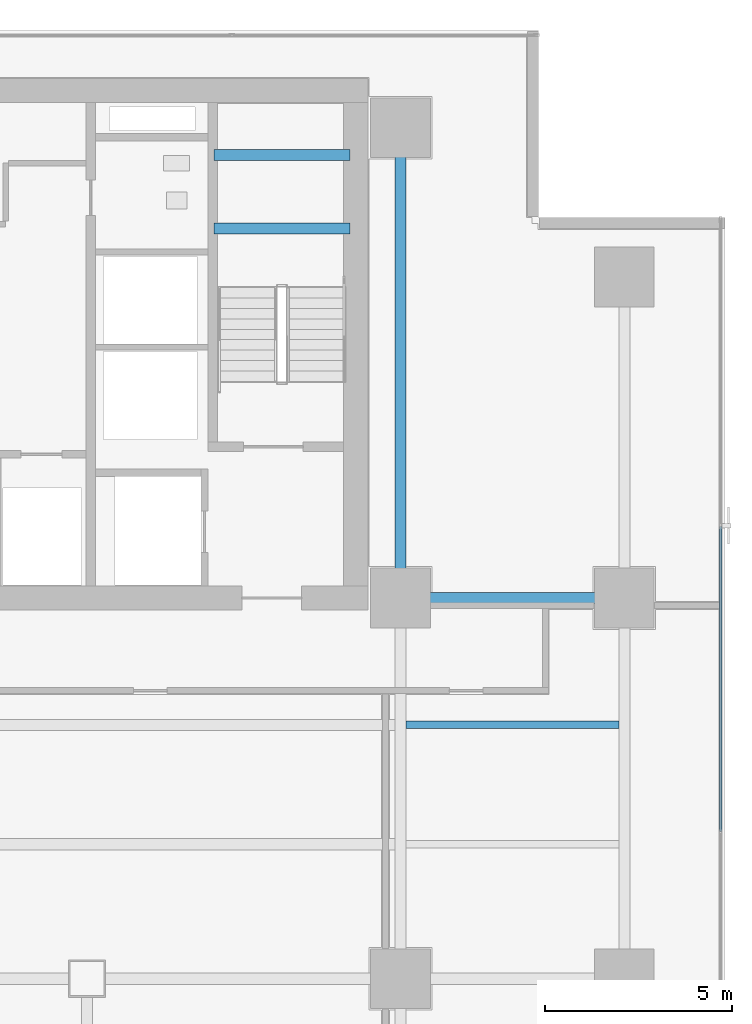
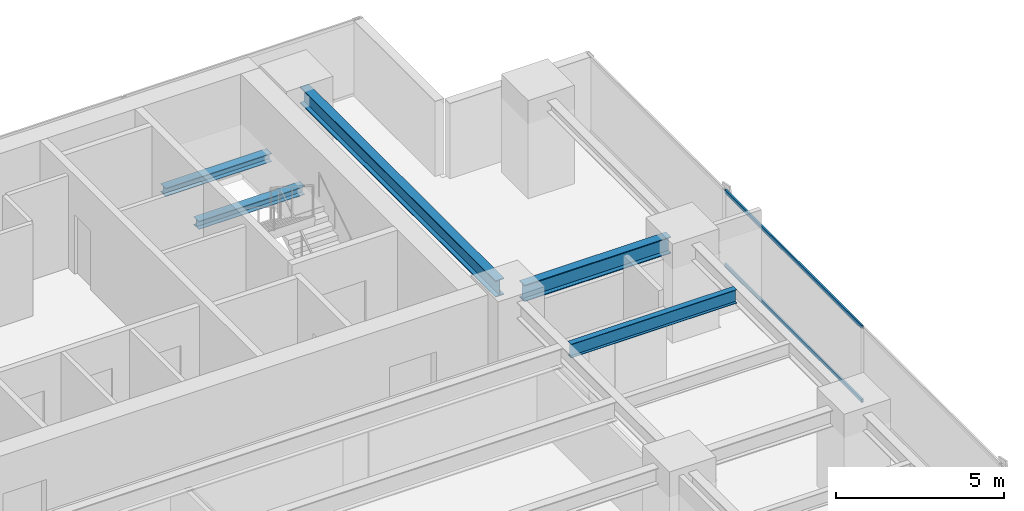
# One storey, part 23 of 37: 5 beams, 2 members, 1 element without a shape of its own.
"""IFC4 building model written with IfcOpenShell, lengths in metres."""

from ifc_helpers import new_model, si_unit, direction, frame, origin, origin_2d, place, context, subcontext, project, spatial, hollow_rectangle, i_section, extrude, source, transform, mapped, material, layer, layer_set, material_profile, profile_set, type_object, element, aggregate, save


model = new_model("IFC4")

# Units and contexts
model_context = context("Model", 3, precision=1e-05, world=origin(), true_north=direction((0.0, 1.0)))
body_context = subcontext(model_context, "Body", "Model", "MODEL_VIEW")
ifc_project = project(units=[si_unit("LENGTHUNIT", "METRE"), si_unit("AREAUNIT", "SQUARE_METRE"), si_unit("VOLUMEUNIT", "CUBIC_METRE"), si_unit("PLANEANGLEUNIT", "RADIAN"), si_unit("MASSUNIT", "GRAM", prefix="KILO")], contexts=[model_context])

# Site, building, storey
site_placement = place(None, origin())
site = spatial("IfcSite", under=ifc_project, at=site_placement, CompositionType="ELEMENT")
building_placement = place(site_placement, origin())
building = spatial("IfcBuilding", under=site, at=building_placement, Name="Sumidabori Civic Tower", CompositionType="ELEMENT")
storey_placement = place(building_placement, frame((0.0, 0.0, 110.0)))
storey = spatial("IfcBuildingStorey", under=building, at=storey_placement, Name="L28", CompositionType="ELEMENT", Elevation=110.0)

# Beams
ifc_material_1 = material(Name="Steel SN490", Category="steel")
ifc_material_profile_1 = material_profile(ifc_material_1, i_section(OverallWidth=0.300048828125, OverallDepth=0.300048828125, WebThickness=0.010986328125, FlangeThickness=0.01904296875, at=origin_2d()), Name="HE 300 B")
ifc_profile_set_1 = profile_set([ifc_material_profile_1], Name="Steel SN490")
beam_type_1 = type_object("IfcBeamType", Name="BM-LDG-300", PredefinedType="BEAM", material=ifc_profile_set_1)
shared_shape_1 = source(origin(), body_context, "Body", "SweptSolid", [
    extrude(i_section(OverallWidth=0.300048828125, OverallDepth=0.300048828125, WebThickness=0.010986328125, FlangeThickness=0.01904296875, at=origin_2d()), origin(), (0.0, 0.0, 1.0), 3.64990234375),
])
for number, where, z_axis, x_axis, name in (
    (1, (11.800048828125, 20.09765625, 1.449951171875), (1.0, 0.0, 0.0), (0.0, 1.0, 0.0), "Stair ST-2 Landing Support Beam L28-1A"),
    (2, (11.800048828125, 22.069580078125, 1.449951171875), (1.0, 0.0, 0.0), (0.0, 1.0, 0.0), "Stair ST-2 Landing Trimmer Beam L28-1B"),
):
    element("IfcBeam", number, at=place(storey_placement, frame(where, z_axis=z_axis, x_axis=x_axis)), inside=storey, type_object=beam_type_1, Name=name, PredefinedType="BEAM", context=body_context, shape_type="MappedRepresentation", body=[
        mapped(shared_shape_1, transform((0.0, 0.0, 0.0), x_axis=(1.0, 0.0, 0.0), y_axis=(0.0, 1.0, 0.0), z_axis=(0.0, 0.0, 1.0), scale=1.0)),
    ])
ifc_material_profile_2 = material_profile(ifc_material_1, i_section(OverallWidth=0.300048828125, OverallDepth=0.60009765625, WebThickness=0.015380859375, FlangeThickness=0.030029296875, at=origin_2d()), Name="HE 600 B")
ifc_profile_set_2 = profile_set([ifc_material_profile_2], Name="Steel SN490")
beam_type_2 = type_object("IfcBeamType", Name="BM-GIRD-600", PredefinedType="BEAM", material=ifc_profile_set_2)
shared_shape_2 = source(origin(), body_context, "Body", "SweptSolid", [
    extrude(i_section(OverallWidth=0.300048828125, OverallDepth=0.60009765625, WebThickness=0.015380859375, FlangeThickness=0.030029296875, at=origin_2d()), origin(), (0.0, 0.0, 1.0), 5.0400390625),
])
beam_1_placement = place(storey_placement, frame((17.280029296875, 10.199951171875, 3.06005859375), z_axis=(1.0, 0.0, 0.0), x_axis=(0.0, 1.0, 0.0)))
element("IfcBeam", 3, at=beam_1_placement, inside=storey, type_object=beam_type_2, Name="Primary Girder L28 GX-20", PredefinedType="BEAM", context=body_context, shape_type="MappedRepresentation", body=[
    mapped(shared_shape_2, transform((0.0, 0.0, 0.0), x_axis=(1.0, 0.0, 0.0), y_axis=(0.0, 1.0, 0.0), z_axis=(0.0, 0.0, 1.0), scale=1.0)),
])
shared_shape_3 = source(origin(), body_context, "Body", "SweptSolid", [
    extrude(i_section(OverallWidth=0.300048828125, OverallDepth=0.60009765625, WebThickness=0.015380859375, FlangeThickness=0.030029296875, at=origin_2d()), origin(), (0.0, 0.0, 1.0), 11.64013671875),
])
beam_2_placement = place(storey_placement, frame((16.800048828125, 10.679931640625, 3.06005859375), z_axis=(0.0, 1.0, 0.0), x_axis=(-1.0, 0.0, 0.0)))
element("IfcBeam", 4, at=beam_2_placement, inside=storey, type_object=beam_type_2, Name="Primary Girder L28 GY-38", PredefinedType="BEAM", context=body_context, shape_type="MappedRepresentation", body=[
    mapped(shared_shape_3, transform((0.0, 0.0, 0.0), x_axis=(1.0, 0.0, 0.0), y_axis=(0.0, 1.0, 0.0), z_axis=(0.0, 0.0, 1.0), scale=1.0)),
])
ifc_material_profile_3 = material_profile(ifc_material_1, i_section(OverallWidth=0.199951171875, OverallDepth=0.5, WebThickness=0.01025390625, FlangeThickness=0.01611328125, at=origin_2d()), Name="IPE 500")
ifc_profile_set_3 = profile_set([ifc_material_profile_3], Name="Steel SN490")
beam_type_3 = type_object("IfcBeamType", Name="BM-JST-500", PredefinedType="JOIST", material=ifc_profile_set_3)
shared_shape_4 = source(origin(), body_context, "Body", "SweptSolid", [
    extrude(i_section(OverallWidth=0.199951171875, OverallDepth=0.5, WebThickness=0.01025390625, FlangeThickness=0.01611328125, at=origin_2d()), origin(), (0.0, 0.0, 1.0), 5.699951171875),
])
beam_3_placement = place(storey_placement, frame((16.949951171875, 6.800048828125, 3.110107421875), z_axis=(1.0, 0.0, 0.0), x_axis=(0.0, 1.0, 0.0)))
element("IfcBeam", 5, at=beam_3_placement, inside=storey, type_object=beam_type_3, Name="Outer Bay Floor Joist L28 JSTO-50", PredefinedType="JOIST", context=body_context, shape_type="MappedRepresentation", body=[
    mapped(shared_shape_4, transform((0.0, 0.0, 0.0), x_axis=(1.0, 0.0, 0.0), y_axis=(0.0, 1.0, 0.0), z_axis=(0.0, 0.0, 1.0), scale=1.0)),
])

# Curtain wall, members
ifc_material_2 = material(Name="Anodised Bronze Aluminium AW-6063-T6", Category="aluminium")
ifc_layer = layer(ifc_material_2, 0.179931640625, Name="Anodised Bronze Aluminium AW-6063-T6")
ifc_layer_set = layer_set([ifc_layer], Name="Anodised Bronze Aluminium AW-6063-T6")
curtain_wall_type = type_object("IfcCurtainWallType", Name="CW-SYS-3", PredefinedType="NOTDEFINED", material=ifc_layer_set)
curtain_wall_placement = place(storey_placement, origin())
curtain_wall = element("IfcCurtainWall", 6, at=curtain_wall_placement, inside=storey, type_object=curtain_wall_type, Name="Curtain Wall CW:L28:R04", PredefinedType="NOTDEFINED")
ifc_material_profile_4 = material_profile(ifc_material_2, hollow_rectangle(XDim=0.06005859375, YDim=0.1298828125, WallThickness=0.0048828125, at=origin_2d()), Name="ALU TRANSOM 130x60")
ifc_profile_set_4 = profile_set([ifc_material_profile_4], Name="Anodised Bronze Aluminium AW-6063-T6")
member_type = type_object("IfcMemberType", Name="CW-TRN-130", PredefinedType="USERDEFINED", material=ifc_profile_set_4)
shared_shape_5 = source(origin(), body_context, "Body", "SweptSolid", [
    extrude(hollow_rectangle(XDim=0.06005859375, YDim=0.1298828125, WallThickness=0.0048828125, at=origin_2d()), origin(), (0.0, 0.0, 1.0), 8.1630859375),
])
member_1_placement = place(storey_placement, frame((25.3798828125, 3.946533203125, 0.030029296875), z_axis=(0.0, 1.0, 0.0), x_axis=(-1.0, 0.0, 0.0)))
member_1 = element("IfcMember", 7, at=member_1_placement, type_object=member_type, Name="CW-3 transom 4.1", ObjectType="TRANSOM", PredefinedType="USERDEFINED", context=body_context, shape_type="MappedRepresentation", body=[
    mapped(shared_shape_5, transform((0.0, 0.0, 0.0), x_axis=(1.0, 0.0, 0.0), y_axis=(0.0, 1.0, 0.0), z_axis=(0.0, 0.0, 1.0), scale=1.0)),
])
member_2_placement = place(storey_placement, frame((25.3798828125, 3.946533203125, 2.7099609375), z_axis=(0.0, 1.0, 0.0), x_axis=(-1.0, 0.0, 0.0)))
member_2 = element("IfcMember", 8, at=member_2_placement, type_object=member_type, Name="CW-3 transom 4.2", ObjectType="TRANSOM", PredefinedType="USERDEFINED", context=body_context, shape_type="MappedRepresentation", body=[
    mapped(shared_shape_5, transform((0.0, 0.0, 0.0), x_axis=(1.0, 0.0, 0.0), y_axis=(0.0, 1.0, 0.0), z_axis=(0.0, 0.0, 1.0), scale=1.0)),
])
aggregate(curtain_wall, [member_1, member_2])

save(model, "model.ifc")
